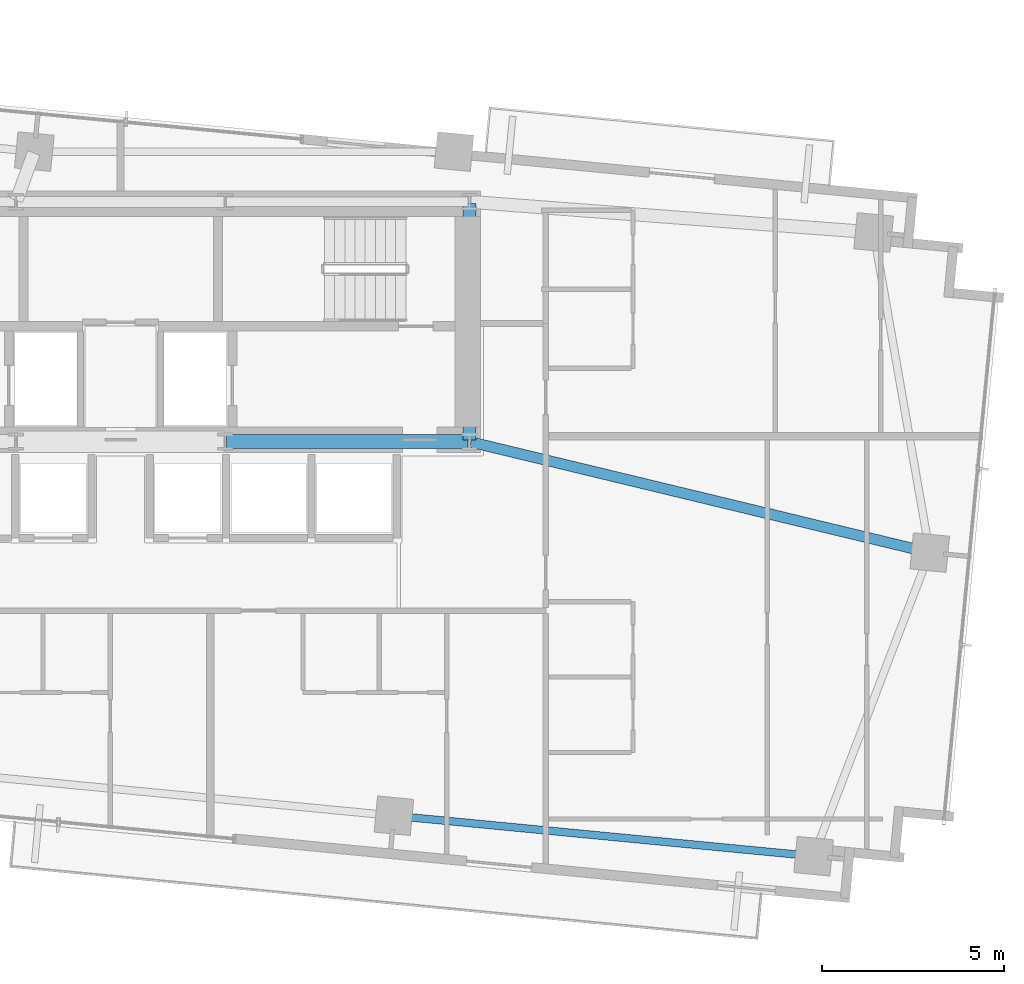
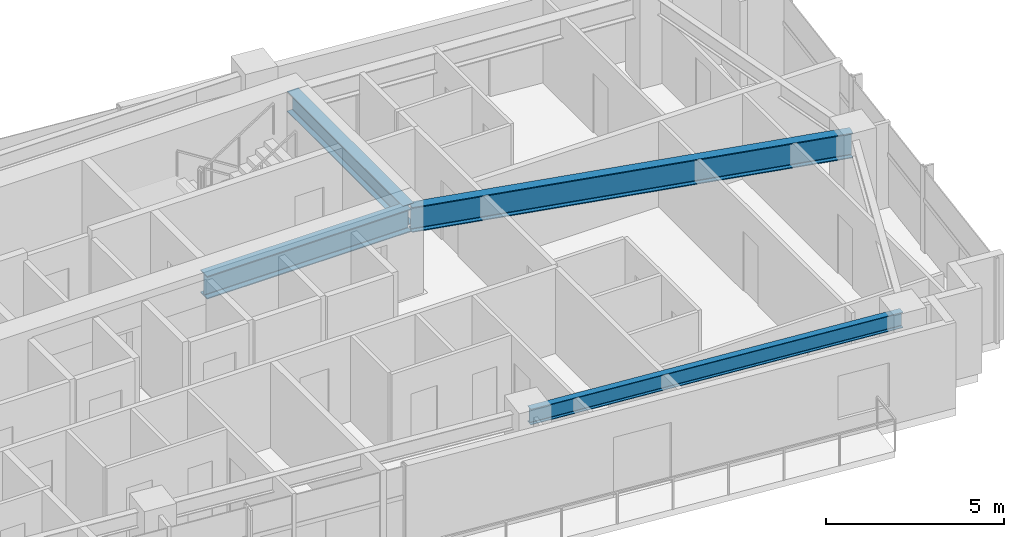
# One storey, part 9 of 19: 4 beams.
"""IFC4 building model written with IfcOpenShell, lengths in metres."""

import ifcopenshell
import ifcopenshell.guid

model = None  # the IFC model being written
_history = None  # IfcOwnerHistory: only IFC2X3 demands one
_inside = {}  # id of a spatial element -> (the spatial element, [elements in it])
_under = {}  # id of a project, library or spatial element -> (it, [spatial elements below it])
_declared = {}  # id of a project -> (the project, [libraries it declares])
_typed = {}  # id of a type object -> (the type object, [elements of that type])
_made_of = {}  # id of a material, layer set ... -> (it, [elements and type objects made of it])


def new_model(schema):
    """Start an empty IFC model of exactly this schema.

    Asked for "IFC4X3", IfcOpenShell would pick the latest addendum, in which some entities
    have other attributes; the version numbers below select the first issue.
    IFC2X3 requires an IfcOwnerHistory on every rooted entity: one is made here for all.
    """
    global model, _history
    if schema == "IFC4X3":
        model = ifcopenshell.file(schema_version=(4, 3, 0, 0))
    else:
        model = ifcopenshell.file(schema=schema)
    _inside.clear()
    _under.clear()
    _declared.clear()
    _typed.clear()
    _made_of.clear()
    _history = None
    if model.schema == "IFC2X3":
        org = make("IfcOrganization", Name="unknown")
        user = make(
            "IfcPersonAndOrganization",
            ThePerson=make("IfcPerson", FamilyName="unknown"),
            TheOrganization=org,
        )
        app = make(
            "IfcApplication",
            ApplicationDeveloper=org,
            Version="unknown",
            ApplicationFullName="unknown",
            ApplicationIdentifier="unknown",
        )
        _history = make(
            "IfcOwnerHistory",
            OwningUser=user,
            OwningApplication=app,
            ChangeAction="ADDED",
            CreationDate=0,
        )
    return model


def make(cls, **values):
    """One entity of the class cls with the attributes given. An attribute that is None is left unset."""
    return model.create_entity(
        cls, **{name: value for name, value in values.items() if value is not None}
    )


def rooted(cls, **values):
    """An entity with a GlobalId (a new one), such as an element, a storey or a relation."""
    return make(cls, GlobalId=ifcopenshell.guid.new(), OwnerHistory=_history, **values)


def si_unit(unit_type, name, prefix=None):
    """IfcSIUnit, for example si_unit("LENGTHUNIT", "METRE", prefix="MILLI")."""
    return make("IfcSIUnit", UnitType=unit_type, Prefix=prefix, Name=name)


def assignment(units):
    """IfcUnitAssignment: the units of a project."""
    return None if units is None else make("IfcUnitAssignment", Units=units)


def point(xyz):
    """IfcCartesianPoint."""
    return None if xyz is None else make("IfcCartesianPoint", Coordinates=xyz)


def direction(xyz):
    """IfcDirection."""
    return None if xyz is None else make("IfcDirection", DirectionRatios=xyz)


def frame(location, z_axis=None, x_axis=None):
    """IfcAxis2Placement3D, a coordinate frame: its origin and axes. An axis left out is left unset."""
    return make(
        "IfcAxis2Placement3D",
        Location=point(location),
        Axis=direction(z_axis),
        RefDirection=direction(x_axis),
    )


def frame_2d(location, x_axis=None):
    """IfcAxis2Placement2D, a coordinate frame in the plane: its origin and x axis."""
    return make(
        "IfcAxis2Placement2D", Location=point(location), RefDirection=direction(x_axis)
    )


def origin():
    """The frame at (0, 0, 0) with its axes left unset."""
    return frame((0.0, 0.0, 0.0))


def origin_2d():
    """The frame at (0, 0) in the plane with its x axis left unset."""
    return frame_2d((0.0, 0.0))


def place(relative_to, where):
    """IfcLocalPlacement: puts the frame where relative to a parent placement (None: the world)."""
    return make(
        "IfcLocalPlacement", PlacementRelTo=relative_to, RelativePlacement=where
    )


def context(
    kind, dimensions, precision=None, world=None, true_north=None, identifier=None
):
    """IfcGeometricRepresentationContext, for example the 3D "Model" context."""
    return make(
        "IfcGeometricRepresentationContext",
        ContextIdentifier=identifier,
        ContextType=kind,
        CoordinateSpaceDimension=dimensions,
        Precision=precision,
        WorldCoordinateSystem=world,
        TrueNorth=true_north,
    )


def subcontext(parent, identifier, kind, view, scale=None):
    """IfcGeometricRepresentationSubContext, for example "Body" below "Model"."""
    return make(
        "IfcGeometricRepresentationSubContext",
        ContextIdentifier=identifier,
        ContextType=kind,
        ParentContext=parent,
        TargetScale=scale,
        TargetView=view,
    )


def project(units=None, contexts=None):
    """IfcProject with its units and contexts."""
    return rooted(
        "IfcProject",
        Name="project",
        RepresentationContexts=contexts,
        UnitsInContext=assignment(units),
    )


def spatial(cls, under=None, at=None, **own):
    """A site, building, storey or space (cls), placed at a placement, below another one or the project."""
    s = rooted(cls, ObjectPlacement=at, **own)
    if under is not None:
        _under.setdefault(under.id(), (under, []))[1].append(s)
    return s


def profile(cls, at=None, kind="AREA", **sizes):
    """A parametric profile (cls). Its sizes go by their IFC names, for example OverallWidth=200.0."""
    return make(cls, ProfileType=kind, Position=at, **sizes)


def i_section(**sizes):
    """IfcIShapeProfileDef."""
    return profile("IfcIShapeProfileDef", **sizes)


def extrude(swept, where, along, depth):
    """IfcExtrudedAreaSolid: the profile swept, set in the frame where, extruded along a direction by depth."""
    return make(
        "IfcExtrudedAreaSolid",
        SweptArea=swept,
        Position=where,
        ExtrudedDirection=direction(along),
        Depth=depth,
    )


def shape(context_of_items, identifier, shape_type, items):
    """IfcShapeRepresentation: the items that make up one representation, for example the "Body"."""
    return make(
        "IfcShapeRepresentation",
        ContextOfItems=context_of_items,
        RepresentationIdentifier=identifier,
        RepresentationType=shape_type,
        Items=items,
    )


def source(mapping_origin, context_of_items, identifier, shape_type, items):
    """IfcRepresentationMap: a shape defined once, which mapped items show again and again."""
    return make(
        "IfcRepresentationMap",
        MappingOrigin=mapping_origin,
        MappedRepresentation=shape(context_of_items, identifier, shape_type, items),
    )


def transform(
    local_origin,
    x_axis=None,
    y_axis=None,
    z_axis=None,
    scale=None,
    scale2=None,
    scale3=None,
    uniform=True,
):
    """IfcCartesianTransformationOperator3D, or its non-uniform kind. x_axis, y_axis, z_axis: its Axis1, 2, 3."""
    if uniform:
        return make(
            "IfcCartesianTransformationOperator3D",
            Axis1=direction(x_axis),
            Axis2=direction(y_axis),
            LocalOrigin=point(local_origin),
            Scale=scale,
            Axis3=direction(z_axis),
        )
    return make(
        "IfcCartesianTransformationOperator3DnonUniform",
        Axis1=direction(x_axis),
        Axis2=direction(y_axis),
        LocalOrigin=point(local_origin),
        Scale=scale,
        Axis3=direction(z_axis),
        Scale2=scale2,
        Scale3=scale3,
    )


def mapped(mapping_source, mapping_target):
    """IfcMappedItem: shows the shape of a source again, moved by a transform."""
    return make(
        "IfcMappedItem", MappingSource=mapping_source, MappingTarget=mapping_target
    )


def material(Name=None, Category=None):
    """IfcMaterial."""
    return make("IfcMaterial", Name=Name, Category=Category)


def material_profile(
    of_material, cross_section, Name=None, Category=None, Priority=None
):
    """IfcMaterialProfile: a cross section and its material."""
    return make(
        "IfcMaterialProfile",
        Name=Name,
        Material=of_material,
        Profile=cross_section,
        Priority=Priority,
        Category=Category,
    )


def profile_set(profiles, Name=None, composite=None):
    """IfcMaterialProfileSet."""
    return make(
        "IfcMaterialProfileSet",
        Name=Name,
        MaterialProfiles=profiles,
        CompositeProfile=composite,
    )


def made_of(thing, what):
    """Note that an element or type object is made of a material, layer set ...; save() writes the relation."""
    if what is not None:
        _made_of.setdefault(what.id(), (what, []))[1].append(thing)
    return thing


def type_object(cls, material=None, **own):
    """A type object (cls), such as IfcWallType, which elements share."""
    return made_of(rooted(cls, **own), material)


def type_shapes(of_type, sources):
    """Give a type object the sources (RepresentationMaps) that its elements show as mapped items."""
    of_type.RepresentationMaps = sources


def element(
    cls,
    number,
    at=None,
    inside=None,
    cuts=None,
    type_object=None,
    material=None,
    context=None,
    identifier="Body",
    shape_type=None,
    held_by="IfcProductDefinitionShape",
    body=None,
    shapes=None,
    **own,
):
    """One element of the class cls, such as IfcWall. Its Tag is "e" and its number.

    at: its placement. inside: the storey or other place that contains it. cuts: it is an
    opening in that element (IfcRelVoidsElement). A single representation is given by context,
    identifier, shape_type and body (its items); several are given by shapes. held_by: the class
    of the entity that holds the representations. save() writes the other relations.
    """
    e = rooted(cls, Tag="e%d" % number, ObjectPlacement=at, **own)
    if body is not None:
        shapes = [shape(context, identifier, shape_type, body)]
    if shapes is not None:
        e.Representation = make(held_by, Representations=shapes)
    if inside is not None:
        _inside.setdefault(inside.id(), (inside, []))[1].append(e)
    if cuts is not None:
        rooted(
            "IfcRelVoidsElement", RelatingBuildingElement=cuts, RelatedOpeningElement=e
        )
    if type_object is not None:
        _typed.setdefault(type_object.id(), (type_object, []))[1].append(e)
    return made_of(e, material)


def aggregate(whole, parts):
    """IfcRelAggregates: a whole, such as a stair, and the parts it consists of."""
    return rooted("IfcRelAggregates", RelatingObject=whole, RelatedObjects=parts)


def save(model, path):
    """Write the relations noted so far, then the file.

    IfcRelAggregates (storeys below a building ...), IfcRelContainedInSpatialStructure (elements
    in a storey), IfcRelDefinesByType, IfcRelAssociatesMaterial and IfcRelDeclares: one each for
    every whole, place, type object, material and project.
    """
    for whole, parts in _under.values():
        aggregate(whole, parts)
    for where, things in _inside.values():
        rooted(
            "IfcRelContainedInSpatialStructure",
            RelatedElements=things,
            RelatingStructure=where,
        )
    for kind, things in _typed.values():
        rooted("IfcRelDefinesByType", RelatedObjects=things, RelatingType=kind)
    for what, things in _made_of.values():
        rooted("IfcRelAssociatesMaterial", RelatedObjects=things, RelatingMaterial=what)
    for by, libraries in _declared.values():
        rooted("IfcRelDeclares", RelatingContext=by, RelatedDefinitions=libraries)
    model.write(path)


model = new_model("IFC4")

# Units and contexts
model_context = context("Model", 3, precision=1e-05, world=origin(), true_north=direction((0.0, 1.0)))
body_context = subcontext(model_context, "Body", "Model", "MODEL_VIEW")
ifc_project = project(units=[si_unit("LENGTHUNIT", "METRE"), si_unit("AREAUNIT", "SQUARE_METRE"), si_unit("VOLUMEUNIT", "CUBIC_METRE"), si_unit("PLANEANGLEUNIT", "RADIAN"), si_unit("MASSUNIT", "GRAM", prefix="KILO")], contexts=[model_context])

# Site, building, storey
site_placement = place(None, origin())
site = spatial("IfcSite", under=ifc_project, at=site_placement, CompositionType="ELEMENT")
building_placement = place(site_placement, origin())
building = spatial("IfcBuilding", under=site, at=building_placement, Name="Astriad Promenade Condominiums", CompositionType="ELEMENT")
storey_placement = place(building_placement, frame((0.0, 0.0, 147.0)))
storey = spatial("IfcBuildingStorey", under=building, at=storey_placement, Name="L42", CompositionType="ELEMENT", Elevation=147.0)

# Beams
ifc_material = material(Name="Steel ASTM A992 Grade 50", Category="steel")
ifc_material_profile_1 = material_profile(ifc_material, i_section(OverallWidth=0.3837890625, OverallDepth=0.785888671875, WebThickness=0.019775390625, FlangeThickness=0.033447265625, FilletRadius=0.021484375, at=origin_2d()), Name="W30X211")
ifc_profile_set_1 = profile_set([ifc_material_profile_1], Name="Steel ASTM A992 Grade 50")
beam_type_1 = type_object("IfcBeamType", Name="STEEL FLOOR GIRDER W30X211", PredefinedType="BEAM", material=ifc_profile_set_1)
shared_shape_1 = source(origin(), body_context, "Body", "SweptSolid", [
    extrude(i_section(OverallWidth=0.3837890625, OverallDepth=0.785888671875, WebThickness=0.019775390625, FlangeThickness=0.033447265625, FilletRadius=0.021484375, at=origin_2d()), origin(), (0.0, 0.0, 1.0), 6.64013671875),
])
type_shapes(beam_type_1, [shared_shape_1])
beam_1_placement = place(storey_placement, frame((38.919921875, 17.39990234375, 2.547119140625), z_axis=(1.0, 0.0, 0.0), x_axis=(0.0, 1.0, 0.0)))
element("IfcBeam", 1, at=beam_1_placement, inside=storey, type_object=beam_type_1, Name="Core Ring Beam CG-S3-L42", PredefinedType="BEAM", context=body_context, shape_type="MappedRepresentation", body=[
    mapped(shared_shape_1, transform((0.0, 0.0, 0.0), scale=1.0)),
])
ifc_material_profile_2 = material_profile(ifc_material, i_section(OverallWidth=0.35791015625, OverallDepth=0.706298828125, WebThickness=0.018310546875, FlangeThickness=0.0302734375, FilletRadius=0.020263671875, at=origin_2d()), Name="W27X178")
ifc_profile_set_2 = profile_set([ifc_material_profile_2], Name="Steel ASTM A992 Grade 50")
beam_type_2 = type_object("IfcBeamType", Name="STEEL FLOOR GIRDER W27X178", PredefinedType="BEAM", material=ifc_profile_set_2)
shared_shape_2 = source(origin(), body_context, "Body", "SweptSolid", [
    extrude(i_section(OverallWidth=0.35791015625, OverallDepth=0.706298828125, WebThickness=0.018310546875, FlangeThickness=0.0302734375, FilletRadius=0.020263671875, at=origin_2d()), origin(), (0.0, 0.0, 1.0), 6.52001953125),
])
type_shapes(beam_type_2, [shared_shape_2])
beam_2_placement = place(storey_placement, frame((45.60009765625, 17.43994140625, 2.5869140625), z_axis=(0.0, 1.0, 0.0), x_axis=(-1.0, 0.0, 0.0)))
element("IfcBeam", 2, at=beam_2_placement, inside=storey, type_object=beam_type_2, Name="Core Ring Beam CG-E1-L42", PredefinedType="BEAM", context=body_context, shape_type="MappedRepresentation", body=[
    mapped(shared_shape_2, transform((0.0, 0.0, 0.0), scale=1.0)),
])
ifc_material_profile_3 = material_profile(ifc_material, i_section(OverallWidth=0.210693359375, OverallDepth=0.53955078125, WebThickness=0.01171875, FlangeThickness=0.018798828125, FilletRadius=0.0166015625, at=origin_2d()), Name="W21X73")
ifc_profile_set_3 = profile_set([ifc_material_profile_3], Name="Steel ASTM A992 Grade 50")
beam_type_3 = type_object("IfcBeamType", Name="STEEL SPANDREL BEAM W21X73", PredefinedType="SPANDREL", material=ifc_profile_set_3)
shared_shape_3 = source(origin(), body_context, "Body", "SweptSolid", [
    extrude(i_section(OverallWidth=0.210693359375, OverallDepth=0.53955078125, WebThickness=0.01171875, FlangeThickness=0.018798828125, FilletRadius=0.0166015625, at=origin_2d()), origin(), (0.0, 0.0, 1.0), 11.519775390625),
])
type_shapes(beam_type_3, [shared_shape_3])
beam_3_placement = place(storey_placement, frame((43.560302734375, 7.10400390625, 2.67041015625), z_axis=(0.995397217389, -0.095835168988, 0.0), x_axis=(0.095835168988, 0.995397217389, 0.0)))
element("IfcBeam", 3, at=beam_3_placement, inside=storey, type_object=beam_type_3, Name="Perimeter Spandrel Beam SP-S4-L42", PredefinedType="SPANDREL", context=body_context, shape_type="MappedRepresentation", body=[
    mapped(shared_shape_3, transform((0.0, 0.0, 0.0), scale=1.0)),
])
ifc_material_profile_4 = material_profile(ifc_material, i_section(OverallWidth=0.2919921875, OverallDepth=0.85888671875, WebThickness=0.01708984375, FlangeThickness=0.031005859375, FilletRadius=0.02294921875, at=origin_2d()), Name="W33X169")
ifc_profile_set_4 = profile_set([ifc_material_profile_4], Name="Steel ASTM A992 Grade 50")
beam_type_4 = type_object("IfcBeamType", Name="STEEL PRIMARY GIRDER W33X169", PredefinedType="BEAM", material=ifc_profile_set_4)
shared_shape_4 = source(origin(), body_context, "Body", "SweptSolid", [
    extrude(i_section(OverallWidth=0.2919921875, OverallDepth=0.85888671875, WebThickness=0.01708984375, FlangeThickness=0.031005859375, FilletRadius=0.02294921875, at=origin_2d()), origin(), (0.0, 0.0, 1.0), 12.94482421875),
])
type_shapes(beam_type_4, [shared_shape_4])
beam_4_placement = place(storey_placement, frame((58.223388671875, 14.357666015625, 2.510498046875), z_axis=(-0.972164476402, 0.234299446908, 0.0), x_axis=(-0.234299446908, -0.972164476402, 0.0)))
element("IfcBeam", 4, at=beam_4_placement, inside=storey, type_object=beam_type_4, Name="Primary Floor Girder PG-EM-L42", PredefinedType="BEAM", context=body_context, shape_type="MappedRepresentation", body=[
    mapped(shared_shape_4, transform((0.0, 0.0, 0.0), scale=1.0)),
])

save(model, "model.ifc")
